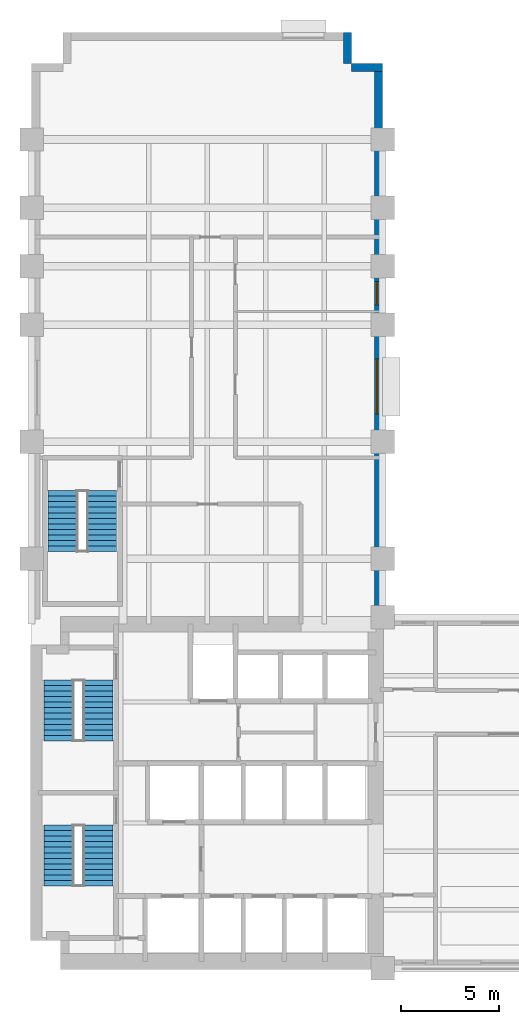
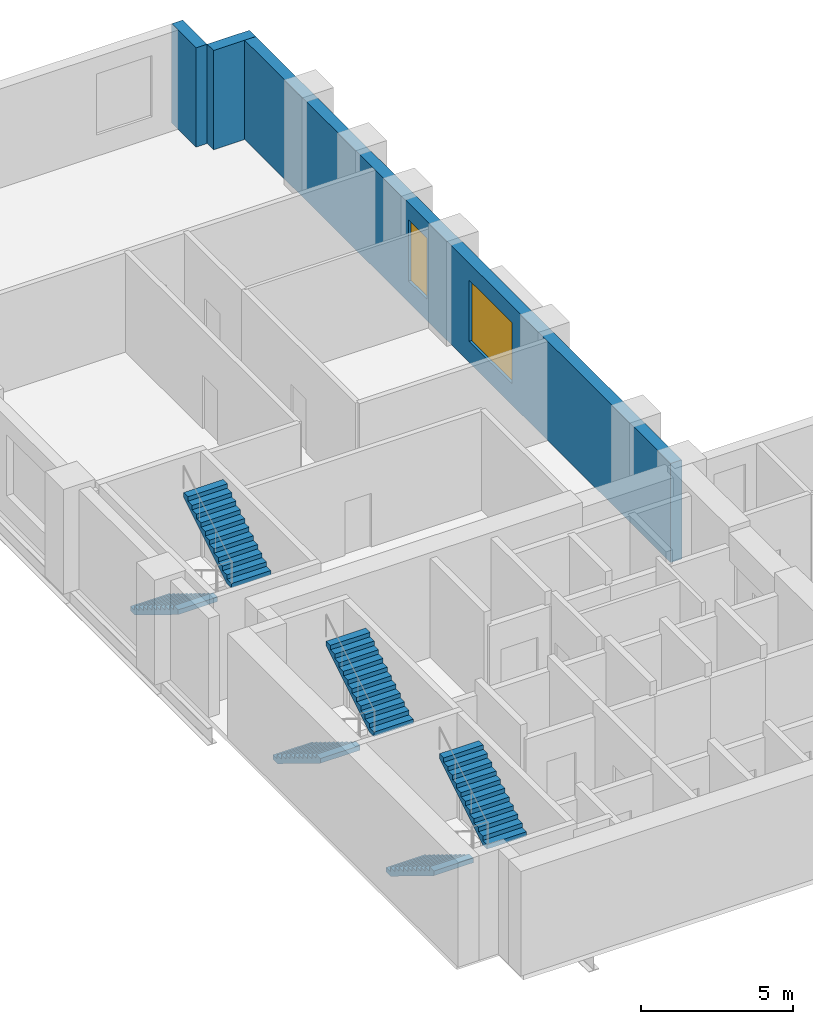
# One storey, part 6 of 8: 6 stair flights, 3 walls, 2 windows, 2 openings, 3 elements without a shape of their own.
"""IFC4 building model written with IfcOpenShell, lengths in metres."""

from ifc_helpers import new_model, si_unit, direction, frame, frame_2d, origin, place, context, subcontext, project, spatial, polyline, rectangle, outline, extrude, material, layer, layer_set, type_object, element, fill, aggregate, save


model = new_model("IFC4")

# Units and contexts
model_context = context("Model", 3, precision=1e-05, world=origin(), true_north=direction((0.0, 1.0)))
body_context = subcontext(model_context, "Body", "Model", "MODEL_VIEW")
ifc_project = project(units=[si_unit("LENGTHUNIT", "METRE"), si_unit("AREAUNIT", "SQUARE_METRE"), si_unit("VOLUMEUNIT", "CUBIC_METRE"), si_unit("PLANEANGLEUNIT", "RADIAN"), si_unit("MASSUNIT", "GRAM", prefix="KILO")], contexts=[model_context])

# Site, building, storey
site_placement = place(None, origin())
site = spatial("IfcSite", under=ifc_project, at=site_placement, CompositionType="ELEMENT")
building_placement = place(site_placement, origin())
building = spatial("IfcBuilding", under=site, at=building_placement, Name="Mawjdan Bourse Tower", CompositionType="ELEMENT")
storey_placement = place(building_placement, frame((0.0, 0.0, 63.60009765625)))
storey = spatial("IfcBuildingStorey", under=building, at=storey_placement, Name="L14", CompositionType="ELEMENT", Elevation=63.60009765625)

# Wall, openings, windows
ifc_material_1 = material(Name="Brick Masonry Buff", Category="masonry")
ifc_layer = layer(ifc_material_1, 0.419921875)
ifc_layer_set = layer_set([ifc_layer], Name="Brick Masonry Buff")
wall_type = type_object("IfcWallType", Name="WL-BRK-BUFF-420", PredefinedType="STANDARD", material=ifc_layer_set)
wall_placement = place(storey_placement, frame((23.7900390625, 21.0, 0.0), z_axis=(0.0, 0.0, 1.0), x_axis=(0.0, 1.0, 0.0)))
wall = element("IfcWall", 1, at=wall_placement, inside=storey, type_object=wall_type, Name="L14 Exterior Brick Wall 8", PredefinedType="STANDARD", context=body_context, shape_type="SweptSolid", body=[
    extrude(rectangle(XDim=28.39990234375, YDim=0.419921875, at=frame_2d((14.199951171875, 0.0))), origin(), (0.0, 0.0, 1.0), 3.97998046875),
])
opening_1_placement = place(wall_placement, frame((10.433349609375, 0.0, 0.85009765625)))
opening_1 = element("IfcOpeningElement", 2, at=opening_1_placement, cuts=wall, Name="Opening W-L14-04", PredefinedType="OPENING", context=body_context, shape_type="SweptSolid", body=[
    extrude(rectangle(XDim=2.800048828125, YDim=2.449951171875, at=frame_2d((1.39990234375, 1.22509765625))), frame((0.0, 0.219970703125, 0.0), z_axis=(0.0, -1.0, 0.0), x_axis=(1.0, 0.0, 0.0)), (0.0, 0.0, 1.0), 0.43994140625),
])
opening_2_placement = place(wall_placement, frame((16.01611328125, 0.0, 0.85009765625)))
opening_2 = element("IfcOpeningElement", 3, at=opening_2_placement, cuts=wall, Name="Opening W-L14-15", PredefinedType="OPENING", context=body_context, shape_type="SweptSolid", body=[
    extrude(rectangle(XDim=1.199951171875, YDim=2.449951171875, at=frame_2d((0.60009765625, 1.22509765625))), frame((0.0, 0.219970703125, 0.0), z_axis=(0.0, -1.0, 0.0), x_axis=(1.0, 0.0, 0.0)), (0.0, 0.0, 1.0), 0.43994140625),
])
ifc_material_2 = material(Name="Solar-Control Clear Double Glazing", Category="glass")
window_type_1 = type_object("IfcWindowType", Name="WN-TRD-1200", PartitioningType="SINGLE_PANEL", PredefinedType="WINDOW", material=ifc_material_2)
window_1_placement = place(opening_2_placement, origin())
window_1 = element("IfcWindow", 4, at=window_1_placement, inside=storey, type_object=window_type_1, Name="L14 Deep-Set Masonry Window W-L14-15", OverallHeight=2.449951171875, OverallWidth=1.199951171875, PartitioningType="SINGLE_PANEL", PredefinedType="WINDOW", context=body_context, shape_type="SweptSolid", body=[
    extrude(rectangle(XDim=1.199951171875, YDim=2.449951171875, at=frame_2d((0.60009765625, 1.22509765625))), frame((0.0, 0.110107421875, 0.0), z_axis=(0.0, -1.0, 0.0), x_axis=(1.0, 0.0, 0.0)), (0.0, 0.0, 1.0), 0.06005859375),
])
fill(opening_2, window_1)
window_type_2 = type_object("IfcWindowType", Name="WN-TRD-2800", PartitioningType="SINGLE_PANEL", PredefinedType="WINDOW", material=ifc_material_2)
window_2_placement = place(opening_1_placement, origin())
window_2 = element("IfcWindow", 5, at=window_2_placement, inside=storey, type_object=window_type_2, Name="L14 Deep-Set Masonry Window W-L14-04", OverallHeight=2.449951171875, OverallWidth=2.800048828125, PartitioningType="SINGLE_PANEL", PredefinedType="WINDOW", context=body_context, shape_type="SweptSolid", body=[
    extrude(rectangle(XDim=2.800048828125, YDim=2.449951171875, at=frame_2d((1.39990234375, 1.22509765625))), frame((0.0, 0.110107421875, 0.0), z_axis=(0.0, -1.0, 0.0), x_axis=(1.0, 0.0, 0.0)), (0.0, 0.0, 1.0), 0.06005859375),
])
fill(opening_1, window_2)

# Walls
for number, where, z_axis, x_axis, name in (
    (6, (24.0, 49.18994140625, 0.0), (0.0, 0.0, 1.0), (-1.0, 0.0, 0.0), "L14 Exterior Brick Wall 9"),
    (7, (22.18994140625, 49.39990234375, 0.0), (0.0, 0.0, 1.0), (0.0, 1.0, 0.0), "L14 Exterior Brick Wall 10"),
):
    element("IfcWall", number, at=place(storey_placement, frame(where, z_axis=z_axis, x_axis=x_axis)), inside=storey, type_object=wall_type, Name=name, PredefinedType="STANDARD", context=body_context, shape_type="SweptSolid", body=[
        extrude(rectangle(XDim=1.60009765625, YDim=0.419921875, at=frame_2d((0.800048828125, 0.0))), origin(), (0.0, 0.0, 1.0), 3.97998046875),
    ])

# Stair, stair flights
ifc_material_3 = material(Name="Concrete C50/60", Category="concrete")
stair_type = type_object("IfcStairType", Name="STR-CORE-1500", PredefinedType="HALF_TURN_STAIR", material=ifc_material_3)
stair_1_placement = place(storey_placement, origin())
stair_1 = element("IfcStair", 8, at=stair_1_placement, inside=storey, type_object=stair_type, Name="L14 Exit Stair 1 (Core South-West)", PredefinedType="HALF_TURN_STAIR")
stair_flight_type = type_object("IfcStairFlightType", Name="SFL-RC-1500", PredefinedType="STRAIGHT", material=ifc_material_3)
stair_flight_1_placement = place(storey_placement, frame((7.389892578125, 10.35009765625, 0.0), z_axis=(0.0, 0.0, 1.0), x_axis=(0.0, -1.0, 0.0)))
stair_flight_1 = element("IfcStairFlight", 9, at=stair_flight_1_placement, type_object=stair_flight_type, Name="ST1-L14 flight 1", NumberOfRisers=12, NumberOfTreads=11, PredefinedType="STRAIGHT", RiserHeight=0.175, TreadLength=0.285, context=body_context, shape_type="SweptSolid", body=[
    extrude(outline(polyline([(0.0, 0.0), (0.0, 0.175048828125), (0.284912109375, 0.175048828125), (0.284912109375, 0.35009765625), (0.570068359375, 0.35009765625), (0.570068359375, 0.52490234375), (0.85498046875, 0.52490234375), (0.85498046875, 0.699951171875), (1.139892578125, 0.699951171875), (1.139892578125, 0.875), (1.425048828125, 0.875), (1.425048828125, 1.050048828125), (1.7099609375, 1.050048828125), (1.7099609375, 1.22509765625), (1.9951171875, 1.22509765625), (1.9951171875, 1.39990234375), (2.280029296875, 1.39990234375), (2.280029296875, 1.574951171875), (2.56494140625, 1.574951171875), (2.56494140625, 1.75), (2.85009765625, 1.75), (2.85009765625, 1.925048828125), (3.135009765625, 1.925048828125), (3.135009765625, 2.10009765625), (3.135009765625, 1.7373046875), (0.3056640625, 0.0), (0.0, 0.0)])), frame((0.0, 0.75, 0.0), z_axis=(0.0, -1.0, 0.0), x_axis=(1.0, 0.0, 0.0)), (0.0, 0.0, 1.0), 1.5),
])
stair_flight_2_placement = place(storey_placement, frame((9.409912109375, 7.215087890625, 2.099853515625), z_axis=(0.0, 0.0, 1.0), x_axis=(0.0, 1.0, 0.0)))
stair_flight_2 = element("IfcStairFlight", 10, at=stair_flight_2_placement, type_object=stair_flight_type, Name="ST1-L14 flight 2", NumberOfRisers=12, NumberOfTreads=11, PredefinedType="STRAIGHT", RiserHeight=0.175, TreadLength=0.285, context=body_context, shape_type="SweptSolid", body=[
    extrude(outline(polyline([(0.0, 0.0), (0.0, 0.175048828125), (0.284912109375, 0.175048828125), (0.284912109375, 0.35009765625), (0.570068359375, 0.35009765625), (0.570068359375, 0.52490234375), (0.85498046875, 0.52490234375), (0.85498046875, 0.699951171875), (1.139892578125, 0.699951171875), (1.139892578125, 0.875), (1.425048828125, 0.875), (1.425048828125, 1.050048828125), (1.7099609375, 1.050048828125), (1.7099609375, 1.22509765625), (1.9951171875, 1.22509765625), (1.9951171875, 1.39990234375), (2.280029296875, 1.39990234375), (2.280029296875, 1.574951171875), (2.56494140625, 1.574951171875), (2.56494140625, 1.75), (2.85009765625, 1.75), (2.85009765625, 1.925048828125), (3.135009765625, 1.925048828125), (3.135009765625, 2.10009765625), (3.135009765625, 1.7373046875), (0.3056640625, 0.0), (0.0, 0.0)])), frame((0.0, 0.75, 0.0), z_axis=(0.0, -1.0, 0.0), x_axis=(1.0, 0.0, 0.0)), (0.0, 0.0, 1.0), 1.5),
])
aggregate(stair_1, [stair_flight_1, stair_flight_2])

stair_2_placement = place(storey_placement, origin())
stair_2 = element("IfcStair", 11, at=stair_2_placement, inside=storey, type_object=stair_type, Name="L14 Exit Stair 2 (Core North-West)", PredefinedType="HALF_TURN_STAIR")
stair_flight_3_placement = place(storey_placement, frame((7.389892578125, 17.7900390625, 0.0), z_axis=(0.0, 0.0, 1.0), x_axis=(0.0, -1.0, 0.0)))
stair_flight_3 = element("IfcStairFlight", 12, at=stair_flight_3_placement, type_object=stair_flight_type, Name="ST2-L14 flight 1", NumberOfRisers=12, NumberOfTreads=11, PredefinedType="STRAIGHT", RiserHeight=0.175, TreadLength=0.285, context=body_context, shape_type="SweptSolid", body=[
    extrude(outline(polyline([(0.0, 0.0), (0.0, 0.175048828125), (0.284912109375, 0.175048828125), (0.284912109375, 0.35009765625), (0.570068359375, 0.35009765625), (0.570068359375, 0.52490234375), (0.85498046875, 0.52490234375), (0.85498046875, 0.699951171875), (1.139892578125, 0.699951171875), (1.139892578125, 0.875), (1.425048828125, 0.875), (1.425048828125, 1.050048828125), (1.7099609375, 1.050048828125), (1.7099609375, 1.22509765625), (1.9951171875, 1.22509765625), (1.9951171875, 1.39990234375), (2.280029296875, 1.39990234375), (2.280029296875, 1.574951171875), (2.56494140625, 1.574951171875), (2.56494140625, 1.75), (2.85009765625, 1.75), (2.85009765625, 1.925048828125), (3.135009765625, 1.925048828125), (3.135009765625, 2.10009765625), (3.135009765625, 1.7373046875), (0.3056640625, 0.0), (0.0, 0.0)])), frame((0.0, 0.75, 0.0), z_axis=(0.0, -1.0, 0.0), x_axis=(1.0, 0.0, 0.0)), (0.0, 0.0, 1.0), 1.5),
])
stair_flight_4_placement = place(storey_placement, frame((9.409912109375, 14.655029296875, 2.099853515625), z_axis=(0.0, 0.0, 1.0), x_axis=(0.0, 1.0, 0.0)))
stair_flight_4 = element("IfcStairFlight", 13, at=stair_flight_4_placement, type_object=stair_flight_type, Name="ST2-L14 flight 2", NumberOfRisers=12, NumberOfTreads=11, PredefinedType="STRAIGHT", RiserHeight=0.175, TreadLength=0.285, context=body_context, shape_type="SweptSolid", body=[
    extrude(outline(polyline([(0.0, 0.0), (0.0, 0.175048828125), (0.284912109375, 0.175048828125), (0.284912109375, 0.35009765625), (0.570068359375, 0.35009765625), (0.570068359375, 0.52490234375), (0.85498046875, 0.52490234375), (0.85498046875, 0.699951171875), (1.139892578125, 0.699951171875), (1.139892578125, 0.875), (1.425048828125, 0.875), (1.425048828125, 1.050048828125), (1.7099609375, 1.050048828125), (1.7099609375, 1.22509765625), (1.9951171875, 1.22509765625), (1.9951171875, 1.39990234375), (2.280029296875, 1.39990234375), (2.280029296875, 1.574951171875), (2.56494140625, 1.574951171875), (2.56494140625, 1.75), (2.85009765625, 1.75), (2.85009765625, 1.925048828125), (3.135009765625, 1.925048828125), (3.135009765625, 2.10009765625), (3.135009765625, 1.7373046875), (0.3056640625, 0.0), (0.0, 0.0)])), frame((0.0, 0.75, 0.0), z_axis=(0.0, -1.0, 0.0), x_axis=(1.0, 0.0, 0.0)), (0.0, 0.0, 1.0), 1.5),
])
aggregate(stair_2, [stair_flight_3, stair_flight_4])

stair_3_placement = place(storey_placement, origin())
stair_3 = element("IfcStair", 14, at=stair_3_placement, inside=storey, type_object=stair_type, Name="L14 Exit Stair 3 (North Wing)", PredefinedType="HALF_TURN_STAIR")
stair_flight_5_placement = place(storey_placement, frame((7.590087890625, 27.5, 0.0), z_axis=(0.0, 0.0, 1.0), x_axis=(0.0, -1.0, 0.0)))
stair_flight_5 = element("IfcStairFlight", 15, at=stair_flight_5_placement, type_object=stair_flight_type, Name="ST3-L14 flight 1", NumberOfRisers=12, NumberOfTreads=11, PredefinedType="STRAIGHT", RiserHeight=0.175, TreadLength=0.285, context=body_context, shape_type="SweptSolid", body=[
    extrude(outline(polyline([(0.0, 0.0), (0.0, 0.175048828125), (0.284912109375, 0.175048828125), (0.284912109375, 0.35009765625), (0.570068359375, 0.35009765625), (0.570068359375, 0.52490234375), (0.85498046875, 0.52490234375), (0.85498046875, 0.699951171875), (1.139892578125, 0.699951171875), (1.139892578125, 0.875), (1.425048828125, 0.875), (1.425048828125, 1.050048828125), (1.7099609375, 1.050048828125), (1.7099609375, 1.22509765625), (1.9951171875, 1.22509765625), (1.9951171875, 1.39990234375), (2.280029296875, 1.39990234375), (2.280029296875, 1.574951171875), (2.56494140625, 1.574951171875), (2.56494140625, 1.75), (2.85009765625, 1.75), (2.85009765625, 1.925048828125), (3.135009765625, 1.925048828125), (3.135009765625, 2.10009765625), (3.135009765625, 1.7373046875), (0.3056640625, 0.0), (0.0, 0.0)])), frame((0.0, 0.75, 0.0), z_axis=(0.0, -1.0, 0.0), x_axis=(1.0, 0.0, 0.0)), (0.0, 0.0, 1.0), 1.5),
])
stair_flight_6_placement = place(storey_placement, frame((9.610107421875, 24.364990234375, 2.099853515625), z_axis=(0.0, 0.0, 1.0), x_axis=(0.0, 1.0, 0.0)))
stair_flight_6 = element("IfcStairFlight", 16, at=stair_flight_6_placement, type_object=stair_flight_type, Name="ST3-L14 flight 2", NumberOfRisers=12, NumberOfTreads=11, PredefinedType="STRAIGHT", RiserHeight=0.175, TreadLength=0.285, context=body_context, shape_type="SweptSolid", body=[
    extrude(outline(polyline([(0.0, 0.0), (0.0, 0.175048828125), (0.284912109375, 0.175048828125), (0.284912109375, 0.35009765625), (0.570068359375, 0.35009765625), (0.570068359375, 0.52490234375), (0.85498046875, 0.52490234375), (0.85498046875, 0.699951171875), (1.139892578125, 0.699951171875), (1.139892578125, 0.875), (1.425048828125, 0.875), (1.425048828125, 1.050048828125), (1.7099609375, 1.050048828125), (1.7099609375, 1.22509765625), (1.9951171875, 1.22509765625), (1.9951171875, 1.39990234375), (2.280029296875, 1.39990234375), (2.280029296875, 1.574951171875), (2.56494140625, 1.574951171875), (2.56494140625, 1.75), (2.85009765625, 1.75), (2.85009765625, 1.925048828125), (3.135009765625, 1.925048828125), (3.135009765625, 2.10009765625), (3.135009765625, 1.7373046875), (0.3056640625, 0.0), (0.0, 0.0)])), frame((0.0, 0.75, 0.0), z_axis=(0.0, -1.0, 0.0), x_axis=(1.0, 0.0, 0.0)), (0.0, 0.0, 1.0), 1.5),
])
aggregate(stair_3, [stair_flight_5, stair_flight_6])

save(model, "model.ifc")
